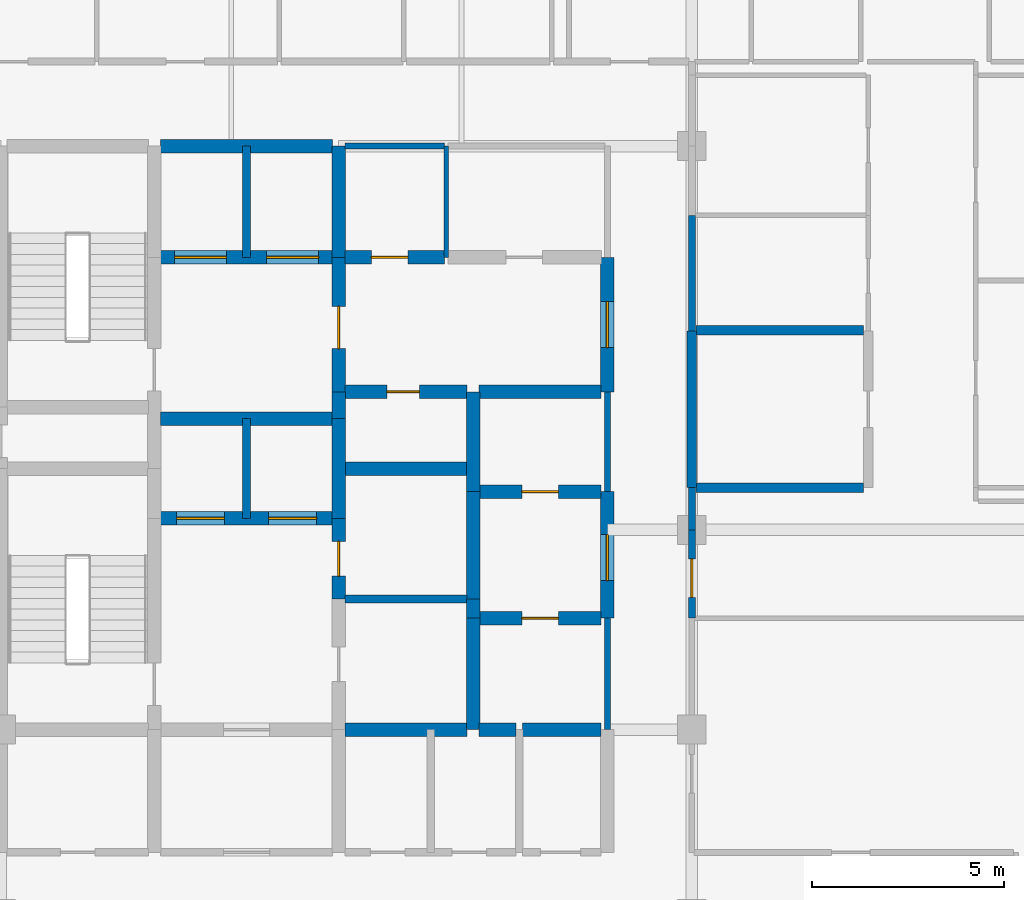
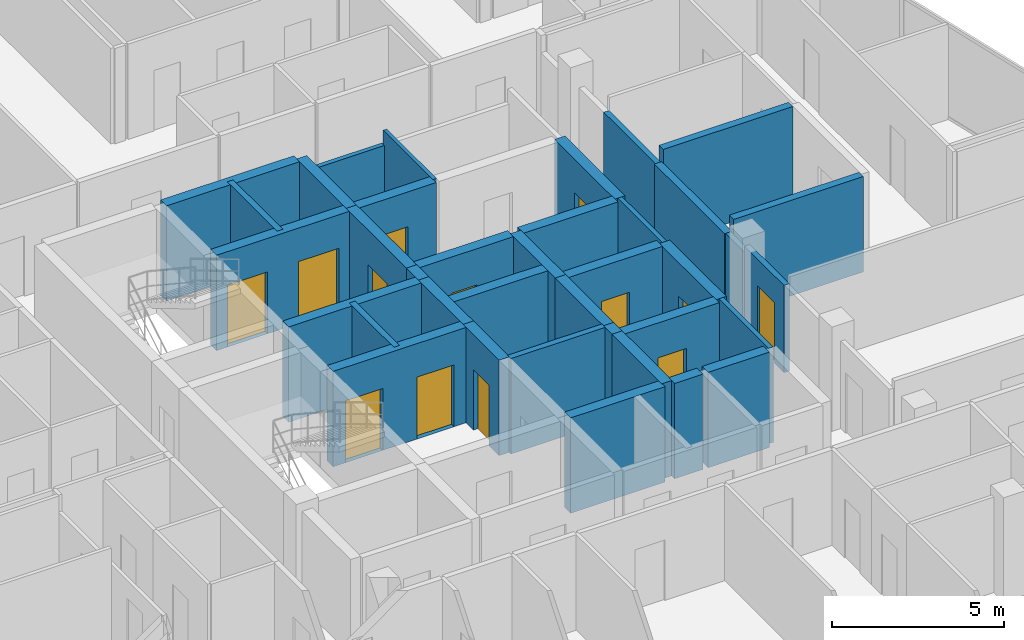
# One storey, part 24 of 27: 37 walls, 13 doors, 13 openings.
"""IFC4 building model written with IfcOpenShell, lengths in metres."""

from ifc_helpers import new_model, si_unit, direction, frame, frame_2d, origin, place, context, subcontext, project, spatial, rectangle, extrude, material, layer, layer_set, type_object, element, fill, save


model = new_model("IFC4")

# Units and contexts
model_context = context("Model", 3, precision=1e-05, world=origin(), true_north=direction((0.0, 1.0)))
body_context = subcontext(model_context, "Body", "Model", "MODEL_VIEW")
ifc_project = project(units=[si_unit("LENGTHUNIT", "METRE"), si_unit("AREAUNIT", "SQUARE_METRE"), si_unit("VOLUMEUNIT", "CUBIC_METRE"), si_unit("PLANEANGLEUNIT", "RADIAN"), si_unit("MASSUNIT", "GRAM", prefix="KILO")], contexts=[model_context])

# Site, building, storey
site_placement = place(None, origin())
site = spatial("IfcSite", under=ifc_project, at=site_placement, CompositionType="ELEMENT")
building_placement = place(site_placement, origin())
building = spatial("IfcBuilding", under=site, at=building_placement, Name="Keshet Zoharim Tower", CompositionType="ELEMENT")
storey_placement = place(building_placement, frame((0.0, 0.0, 262.10009765625)))
storey = spatial("IfcBuildingStorey", under=building, at=storey_placement, Name="L65", CompositionType="ELEMENT", Elevation=262.10009765625)

# Walls
ifc_material_1 = material(Name="Gypsum Plasterboard", Category="gypsum")
ifc_layer_1 = layer(ifc_material_1, 0.14990234375)
ifc_layer_set_1 = layer_set([ifc_layer_1], Name="Gypsum Plasterboard")
wall_type_1 = type_object("IfcWallType", Name="WL-CLIN-150", PredefinedType="STANDARD", material=ifc_layer_set_1)
wall_1_placement = place(storey_placement, frame((30.800048828125, 22.699951171875, 0.0), z_axis=(0.0, 0.0, 1.0), x_axis=(0.0, 1.0, 0.0)))
element("IfcWall", 1, at=wall_1_placement, inside=storey, type_object=wall_type_1, Name="L65 Interior Wall 066", PredefinedType="STANDARD", context=body_context, shape_type="SweptSolid", body=[
    extrude(rectangle(XDim=2.900146484375, YDim=0.14990234375, at=frame_2d((1.4501953125, 0.0))), origin(), (0.0, 0.0, 1.0), 3.389892578125),
])
wall_2_placement = place(storey_placement, frame((30.800048828125, 28.89990234375, 0.0), z_axis=(0.0, 0.0, 1.0), x_axis=(0.0, 1.0, 0.0)))
element("IfcWall", 2, at=wall_2_placement, inside=storey, type_object=wall_type_1, Name="L65 Interior Wall 068", PredefinedType="STANDARD", context=body_context, shape_type="SweptSolid", body=[
    extrude(rectangle(XDim=2.60009765625, YDim=0.14990234375, at=frame_2d((1.300048828125, 0.0))), origin(), (0.0, 0.0, 1.0), 3.389892578125),
])
wall_3_placement = place(storey_placement, frame((23.9599609375, 37.89990234375, 0.0), z_axis=(0.0, 0.0, 1.0), x_axis=(1.0, 0.0, 0.0)))
element("IfcWall", 3, at=wall_3_placement, inside=storey, type_object=wall_type_1, Name="L65 Interior Wall 160", PredefinedType="STANDARD", context=body_context, shape_type="SweptSolid", body=[
    extrude(rectangle(XDim=2.594970703125, YDim=0.14990234375, at=frame_2d((1.29736328125, 0.0))), origin(), (0.0, 0.0, 1.0), 2.889892578125),
])

# Wall, opening, door
ifc_material_2 = material(Name="Concrete C60/75", Category="concrete")
ifc_layer_2 = layer(ifc_material_2, 0.35009765625)
ifc_layer_set_2 = layer_set([ifc_layer_2], Name="Concrete C60/75")
wall_type_2 = type_object("IfcWallType", Name="WL-CORE-350", PredefinedType="SHEAR", material=ifc_layer_set_2)
wall_4_placement = place(storey_placement, frame((23.800048828125, 26.10009765625, 0.0), z_axis=(0.0, 0.0, 1.0), x_axis=(0.0, 1.0, 0.0)))
wall_4 = element("IfcWall", 4, at=wall_4_placement, inside=storey, type_object=wall_type_2, Name="L65 Core Shear Wall 043", PredefinedType="SHEAR", context=body_context, shape_type="SweptSolid", body=[
    extrude(rectangle(XDim=2.099853515625, YDim=0.35009765625, at=frame_2d((1.0498046875, 0.0))), origin(), (0.0, 0.0, 1.0), 3.389892578125),
])
opening_1_placement = place(wall_4_placement, frame((0.60009765625, 0.0, 0.0)))
opening_1 = element("IfcOpeningElement", 5, at=opening_1_placement, cuts=wall_4, Name="Opening D-F690", PredefinedType="OPENING", context=body_context, shape_type="SweptSolid", body=[
    extrude(rectangle(XDim=0.89990234375, YDim=2.14990234375, at=frame_2d((0.449951171875, 1.074951171875))), frame((0.0, 0.18505859375, 0.0), z_axis=(0.0, -1.0, 0.0), x_axis=(1.0, 0.0, 0.0)), (0.0, 0.0, 1.0), 0.3701171875),
])
ifc_material_3 = material(Name="Hardwood Timber", Category="wood")
door_type_1 = type_object("IfcDoorType", Name="DR-FD60-090", OperationType="NOTDEFINED", PredefinedType="DOOR", material=ifc_material_3)
door_1_placement = place(opening_1_placement, origin())
door_1 = element("IfcDoor", 6, at=door_1_placement, inside=storey, type_object=door_type_1, Name="L65 Core Electrical Room Door", OperationType="SINGLE_SWING_RIGHT", OverallHeight=2.14990234375, OverallWidth=0.89990234375, PredefinedType="DOOR", context=body_context, shape_type="SweptSolid", body=[
    extrude(rectangle(XDim=0.89990234375, YDim=2.14990234375, at=frame_2d((0.449951171875, 1.074951171875))), frame((0.0, 0.02490234375, 0.0), z_axis=(0.0, -1.0, 0.0), x_axis=(1.0, 0.0, 0.0)), (0.0, 0.0, 1.0), 0.050048828125),
])
fill(opening_1, door_1)

# Walls
wall_5_placement = place(storey_placement, frame((23.800048828125, 28.199951171875, 0.0), z_axis=(0.0, 0.0, 1.0), x_axis=(0.0, 1.0, 0.0)))
element("IfcWall", 7, at=wall_5_placement, inside=storey, type_object=wall_type_2, Name="L65 Core Shear Wall 044", PredefinedType="SHEAR", context=body_context, shape_type="SweptSolid", body=[
    extrude(rectangle(XDim=2.60009765625, YDim=0.35009765625, at=frame_2d((1.300048828125, 0.0))), origin(), (0.0, 0.0, 1.0), 3.389892578125),
])
wall_6_placement = place(storey_placement, frame((23.800048828125, 30.800048828125, 0.0), z_axis=(0.0, 0.0, 1.0), x_axis=(0.0, 1.0, 0.0)))
element("IfcWall", 8, at=wall_6_placement, inside=storey, type_object=wall_type_2, Name="L65 Core Shear Wall 045", PredefinedType="SHEAR", context=body_context, shape_type="SweptSolid", body=[
    extrude(rectangle(XDim=0.699951171875, YDim=0.35009765625, at=frame_2d((0.35009765625, 0.0))), origin(), (0.0, 0.0, 1.0), 3.389892578125),
])

# Wall, opening, door
wall_7_placement = place(storey_placement, frame((23.800048828125, 31.5, 0.0), z_axis=(0.0, 0.0, 1.0), x_axis=(0.0, 1.0, 0.0)))
wall_7 = element("IfcWall", 9, at=wall_7_placement, inside=storey, type_object=wall_type_2, Name="L65 Core Shear Wall 046", PredefinedType="SHEAR", context=body_context, shape_type="SweptSolid", body=[
    extrude(rectangle(XDim=3.5, YDim=0.35009765625, at=frame_2d((1.75, 0.0))), origin(), (0.0, 0.0, 1.0), 3.389892578125),
])
opening_2_placement = place(wall_7_placement, frame((1.126953125, 0.0, 0.0)))
opening_2 = element("IfcOpeningElement", 10, at=opening_2_placement, cuts=wall_7, Name="Opening D-F611", PredefinedType="OPENING", context=body_context, shape_type="SweptSolid", body=[
    extrude(rectangle(XDim=1.10009765625, YDim=2.14990234375, at=frame_2d((0.550048828125, 1.074951171875))), frame((0.0, 0.18505859375, 0.0), z_axis=(0.0, -1.0, 0.0), x_axis=(1.0, 0.0, 0.0)), (0.0, 0.0, 1.0), 0.3701171875),
])
door_type_2 = type_object("IfcDoorType", Name="DR-FD60-110", OperationType="NOTDEFINED", PredefinedType="DOOR", material=ifc_material_3)
door_2_placement = place(opening_2_placement, origin())
door_2 = element("IfcDoor", 11, at=door_2_placement, inside=storey, type_object=door_type_2, Name="L65 Firefighting Lobby Fire Door", OperationType="SINGLE_SWING_LEFT", OverallHeight=2.14990234375, OverallWidth=1.10009765625, PredefinedType="DOOR", context=body_context, shape_type="SweptSolid", body=[
    extrude(rectangle(XDim=1.10009765625, YDim=2.14990234375, at=frame_2d((0.550048828125, 1.074951171875))), frame((0.0, 0.02490234375, 0.0), z_axis=(0.0, -1.0, 0.0), x_axis=(1.0, 0.0, 0.0)), (0.0, 0.0, 1.0), 0.050048828125),
])
fill(opening_2, door_2)

# Walls
wall_8_placement = place(storey_placement, frame((23.800048828125, 35.0, 0.0), z_axis=(0.0, 0.0, 1.0), x_axis=(0.0, 1.0, 0.0)))
element("IfcWall", 12, at=wall_8_placement, inside=storey, type_object=wall_type_2, Name="L65 Core Shear Wall 047", PredefinedType="SHEAR", context=body_context, shape_type="SweptSolid", body=[
    extrude(rectangle(XDim=2.89990234375, YDim=0.35009765625, at=frame_2d((1.449951171875, 0.0))), origin(), (0.0, 0.0, 1.0), 3.389892578125),
])
wall_9_placement = place(storey_placement, frame((27.300048828125, 22.699951171875, 0.0), z_axis=(0.0, 0.0, 1.0), x_axis=(0.0, 1.0, 0.0)))
element("IfcWall", 13, at=wall_9_placement, inside=storey, type_object=wall_type_2, Name="L65 Core Shear Wall 054", PredefinedType="SHEAR", context=body_context, shape_type="SweptSolid", body=[
    extrude(rectangle(XDim=2.900146484375, YDim=0.35009765625, at=frame_2d((1.4501953125, 0.0))), origin(), (0.0, 0.0, 1.0), 3.389892578125),
])
wall_10_placement = place(storey_placement, frame((27.300048828125, 25.60009765625, 0.0), z_axis=(0.0, 0.0, 1.0), x_axis=(0.0, 1.0, 0.0)))
element("IfcWall", 14, at=wall_10_placement, inside=storey, type_object=wall_type_2, Name="L65 Core Shear Wall 055", PredefinedType="SHEAR", context=body_context, shape_type="SweptSolid", body=[
    extrude(rectangle(XDim=0.5, YDim=0.35009765625, at=frame_2d((0.25, 0.0))), origin(), (0.0, 0.0, 1.0), 3.389892578125),
])
wall_11_placement = place(storey_placement, frame((27.300048828125, 26.10009765625, 0.0), z_axis=(0.0, 0.0, 1.0), x_axis=(0.0, 1.0, 0.0)))
element("IfcWall", 15, at=wall_11_placement, inside=storey, type_object=wall_type_2, Name="L65 Core Shear Wall 056", PredefinedType="SHEAR", context=body_context, shape_type="SweptSolid", body=[
    extrude(rectangle(XDim=2.7998046875, YDim=0.35009765625, at=frame_2d((1.39990234375, 0.0))), origin(), (0.0, 0.0, 1.0), 3.389892578125),
])
wall_12_placement = place(storey_placement, frame((27.300048828125, 28.89990234375, 0.0), z_axis=(0.0, 0.0, 1.0), x_axis=(0.0, 1.0, 0.0)))
element("IfcWall", 16, at=wall_12_placement, inside=storey, type_object=wall_type_2, Name="L65 Core Shear Wall 057", PredefinedType="SHEAR", context=body_context, shape_type="SweptSolid", body=[
    extrude(rectangle(XDim=2.60009765625, YDim=0.35009765625, at=frame_2d((1.300048828125, 0.0))), origin(), (0.0, 0.0, 1.0), 3.389892578125),
])

# Wall, opening, door
wall_13_placement = place(storey_placement, frame((30.800048828125, 25.60009765625, 0.0), z_axis=(0.0, 0.0, 1.0), x_axis=(0.0, 1.0, 0.0)))
wall_13 = element("IfcWall", 17, at=wall_13_placement, inside=storey, type_object=wall_type_2, Name="L65 Core Shear Wall 067", PredefinedType="SHEAR", context=body_context, shape_type="SweptSolid", body=[
    extrude(rectangle(XDim=3.2998046875, YDim=0.35009765625, at=frame_2d((1.64990234375, 0.0))), origin(), (0.0, 0.0, 1.0), 3.389892578125),
])
opening_3_placement = place(wall_13_placement, frame((0.97802734375, 0.0, 0.0)))
opening_3 = element("IfcOpeningElement", 18, at=opening_3_placement, cuts=wall_13, Name="Opening D-F612", PredefinedType="OPENING", context=body_context, shape_type="SweptSolid", body=[
    extrude(rectangle(XDim=1.199951171875, YDim=2.199951171875, at=frame_2d((0.60009765625, 1.10009765625))), frame((0.0, 0.18505859375, 0.0), z_axis=(0.0, -1.0, 0.0), x_axis=(1.0, 0.0, 0.0)), (0.0, 0.0, 1.0), 0.3701171875),
])
door_type_3 = type_object("IfcDoorType", Name="DR-FD60-120", OperationType="NOTDEFINED", PredefinedType="DOOR", material=ifc_material_3)
door_3_placement = place(opening_3_placement, origin())
door_3 = element("IfcDoor", 19, at=door_3_placement, inside=storey, type_object=door_type_3, Name="L65 East Lift Lobby Fire Door", OperationType="SINGLE_SWING_LEFT", OverallHeight=2.199951171875, OverallWidth=1.199951171875, PredefinedType="DOOR", context=body_context, shape_type="SweptSolid", body=[
    extrude(rectangle(XDim=1.199951171875, YDim=2.199951171875, at=frame_2d((0.60009765625, 1.10009765625))), frame((0.0, 0.02490234375, 0.0), z_axis=(0.0, -1.0, 0.0), x_axis=(1.0, 0.0, 0.0)), (0.0, 0.0, 1.0), 0.050048828125),
])
fill(opening_3, door_3)

wall_14_placement = place(storey_placement, frame((30.800048828125, 31.5, 0.0), z_axis=(0.0, 0.0, 1.0), x_axis=(0.0, 1.0, 0.0)))
wall_14 = element("IfcWall", 20, at=wall_14_placement, inside=storey, type_object=wall_type_2, Name="L65 Core Shear Wall 069", PredefinedType="SHEAR", context=body_context, shape_type="SweptSolid", body=[
    extrude(rectangle(XDim=3.5, YDim=0.35009765625, at=frame_2d((1.75, 0.0))), origin(), (0.0, 0.0, 1.0), 3.389892578125),
])
opening_4_placement = place(wall_14_placement, frame((1.14990234375, 0.0, 0.0)))
opening_4 = element("IfcOpeningElement", 21, at=opening_4_placement, cuts=wall_14, Name="Opening D-F612", PredefinedType="OPENING", context=body_context, shape_type="SweptSolid", body=[
    extrude(rectangle(XDim=1.199951171875, YDim=2.199951171875, at=frame_2d((0.60009765625, 1.10009765625))), frame((0.0, 0.18505859375, 0.0), z_axis=(0.0, -1.0, 0.0), x_axis=(1.0, 0.0, 0.0)), (0.0, 0.0, 1.0), 0.3701171875),
])
door_4_placement = place(opening_4_placement, origin())
door_4 = element("IfcDoor", 22, at=door_4_placement, inside=storey, type_object=door_type_3, Name="L65 North Lift Lobby East Fire Door", OperationType="SINGLE_SWING_RIGHT", OverallHeight=2.199951171875, OverallWidth=1.199951171875, PredefinedType="DOOR", context=body_context, shape_type="SweptSolid", body=[
    extrude(rectangle(XDim=1.199951171875, YDim=2.199951171875, at=frame_2d((0.60009765625, 1.10009765625))), frame((0.0, 0.02490234375, 0.0), z_axis=(0.0, -1.0, 0.0), x_axis=(1.0, 0.0, 0.0)), (0.0, 0.0, 1.0), 0.050048828125),
])
fill(opening_4, door_4)

# Walls
wall_15_placement = place(storey_placement, frame((23.9599609375, 22.699951171875, 0.0), z_axis=(0.0, 0.0, 1.0), x_axis=(1.0, 0.0, 0.0)))
element("IfcWall", 23, at=wall_15_placement, inside=storey, type_object=wall_type_2, Name="L65 Core Shear Wall 122", PredefinedType="SHEAR", context=body_context, shape_type="SweptSolid", body=[
    extrude(rectangle(XDim=3.179931640625, YDim=0.35009765625, at=frame_2d((1.58984375, 0.0))), origin(), (0.0, 0.0, 1.0), 3.389892578125),
])
wall_16_placement = place(storey_placement, frame((27.4599609375, 22.699951171875, 0.0), z_axis=(0.0, 0.0, 1.0), x_axis=(1.0, 0.0, 0.0)))
element("IfcWall", 24, at=wall_16_placement, inside=storey, type_object=wall_type_2, Name="L65 Core Shear Wall 123", PredefinedType="SHEAR", context=body_context, shape_type="SweptSolid", body=[
    extrude(rectangle(XDim=0.955078125, YDim=0.35009765625, at=frame_2d((0.4775390625, 0.0))), origin(), (0.0, 0.0, 1.0), 3.389892578125),
])
wall_17_placement = place(storey_placement, frame((28.5849609375, 22.699951171875, 0.0), z_axis=(0.0, 0.0, 1.0), x_axis=(1.0, 0.0, 0.0)))
element("IfcWall", 25, at=wall_17_placement, inside=storey, type_object=wall_type_2, Name="L65 Core Shear Wall 124", PredefinedType="SHEAR", context=body_context, shape_type="SweptSolid", body=[
    extrude(rectangle(XDim=2.054931640625, YDim=0.35009765625, at=frame_2d((1.02734375, 0.0))), origin(), (0.0, 0.0, 1.0), 3.389892578125),
])

# Wall, opening, door
wall_18_placement = place(storey_placement, frame((27.4599609375, 25.60009765625, 0.0), z_axis=(0.0, 0.0, 1.0), x_axis=(1.0, 0.0, 0.0)))
wall_18 = element("IfcWall", 26, at=wall_18_placement, inside=storey, type_object=wall_type_2, Name="L65 Core Shear Wall 127", PredefinedType="SHEAR", context=body_context, shape_type="SweptSolid", body=[
    extrude(rectangle(XDim=3.179931640625, YDim=0.35009765625, at=frame_2d((1.58984375, 0.0))), origin(), (0.0, 0.0, 1.0), 3.389892578125),
])
opening_5_placement = place(wall_18_placement, frame((1.114990234375, 0.0, 0.0)))
opening_5 = element("IfcOpeningElement", 27, at=opening_5_placement, cuts=wall_18, Name="Opening D-F695", PredefinedType="OPENING", context=body_context, shape_type="SweptSolid", body=[
    extrude(rectangle(XDim=0.949951171875, YDim=2.14990234375, at=frame_2d((0.47509765625, 1.074951171875))), frame((0.0, 0.18505859375, 0.0), z_axis=(0.0, -1.0, 0.0), x_axis=(1.0, 0.0, 0.0)), (0.0, 0.0, 1.0), 0.3701171875),
])
door_type_4 = type_object("IfcDoorType", Name="DR-FD60-095", OperationType="NOTDEFINED", PredefinedType="DOOR", material=ifc_material_3)
door_5_placement = place(opening_5_placement, origin())
door_5 = element("IfcDoor", 28, at=door_5_placement, inside=storey, type_object=door_type_4, Name="L65 Study Alcove Door", OperationType="SINGLE_SWING_RIGHT", OverallHeight=2.14990234375, OverallWidth=0.949951171875, PredefinedType="DOOR", context=body_context, shape_type="SweptSolid", body=[
    extrude(rectangle(XDim=0.949951171875, YDim=2.14990234375, at=frame_2d((0.47509765625, 1.074951171875))), frame((0.0, 0.02490234375, 0.0), z_axis=(0.0, -1.0, 0.0), x_axis=(1.0, 0.0, 0.0)), (0.0, 0.0, 1.0), 0.050048828125),
])
fill(opening_5, door_5)

# Wall, openings, doors
wall_19_placement = place(storey_placement, frame((19.159912109375, 28.199951171875, 0.0), z_axis=(0.0, 0.0, 1.0), x_axis=(1.0, 0.0, 0.0)))
wall_19 = element("IfcWall", 29, at=wall_19_placement, inside=storey, type_object=wall_type_2, Name="L65 Core Shear Wall 134", PredefinedType="SHEAR", context=body_context, shape_type="SweptSolid", body=[
    extrude(rectangle(XDim=4.47998046875, YDim=0.35009765625, at=frame_2d((2.239990234375, 0.0))), origin(), (0.0, 0.0, 1.0), 3.389892578125),
])
opening_6_placement = place(wall_19_placement, frame((0.4150390625, 0.0, 0.0)))
opening_6 = element("IfcOpeningElement", 30, at=opening_6_placement, cuts=wall_19, Name="Opening LD-01", PredefinedType="OPENING", context=body_context, shape_type="SweptSolid", body=[
    extrude(rectangle(XDim=1.25, YDim=2.199951171875, at=frame_2d((0.625, 1.10009765625))), frame((0.0, 0.18505859375, 0.0), z_axis=(0.0, -1.0, 0.0), x_axis=(1.0, 0.0, 0.0)), (0.0, 0.0, 1.0), 0.3701171875),
])
opening_7_placement = place(wall_19_placement, frame((2.81494140625, 0.0, 0.0)))
opening_7 = element("IfcOpeningElement", 31, at=opening_7_placement, cuts=wall_19, Name="Opening LD-01", PredefinedType="OPENING", context=body_context, shape_type="SweptSolid", body=[
    extrude(rectangle(XDim=1.25, YDim=2.199951171875, at=frame_2d((0.625, 1.10009765625))), frame((0.0, 0.18505859375, 0.0), z_axis=(0.0, -1.0, 0.0), x_axis=(1.0, 0.0, 0.0)), (0.0, 0.0, 1.0), 0.3701171875),
])
ifc_material_4 = material(Name="Steel S355", Category="steel")
door_type_5 = type_object("IfcDoorType", Name="DR-LD01-125", OperationType="DOUBLE_DOOR_SLIDING", PredefinedType="DOOR", material=ifc_material_4)
door_6_placement = place(opening_6_placement, origin())
door_6 = element("IfcDoor", 32, at=door_6_placement, inside=storey, type_object=door_type_5, Name="L65 Passenger Lift Landing Door LF-09", OperationType="DOUBLE_DOOR_SLIDING", OverallHeight=2.199951171875, OverallWidth=1.25, PredefinedType="DOOR", context=body_context, shape_type="SweptSolid", body=[
    extrude(rectangle(XDim=1.25, YDim=2.199951171875, at=frame_2d((0.625, 1.10009765625))), frame((0.0, 0.02490234375, 0.0), z_axis=(0.0, -1.0, 0.0), x_axis=(1.0, 0.0, 0.0)), (0.0, 0.0, 1.0), 0.050048828125),
])
fill(opening_6, door_6)
door_7_placement = place(opening_7_placement, origin())
door_7 = element("IfcDoor", 33, at=door_7_placement, inside=storey, type_object=door_type_5, Name="L65 Passenger Lift Landing Door LF-10", OperationType="DOUBLE_DOOR_SLIDING", OverallHeight=2.199951171875, OverallWidth=1.25, PredefinedType="DOOR", context=body_context, shape_type="SweptSolid", body=[
    extrude(rectangle(XDim=1.25, YDim=2.199951171875, at=frame_2d((0.625, 1.10009765625))), frame((0.0, 0.02490234375, 0.0), z_axis=(0.0, -1.0, 0.0), x_axis=(1.0, 0.0, 0.0)), (0.0, 0.0, 1.0), 0.050048828125),
])
fill(opening_7, door_7)

# Wall, opening, door
wall_20_placement = place(storey_placement, frame((27.4599609375, 28.89990234375, 0.0), z_axis=(0.0, 0.0, 1.0), x_axis=(1.0, 0.0, 0.0)))
wall_20 = element("IfcWall", 34, at=wall_20_placement, inside=storey, type_object=wall_type_2, Name="L65 Core Shear Wall 136", PredefinedType="SHEAR", context=body_context, shape_type="SweptSolid", body=[
    extrude(rectangle(XDim=3.179931640625, YDim=0.35009765625, at=frame_2d((1.58984375, 0.0))), origin(), (0.0, 0.0, 1.0), 3.389892578125),
])
opening_8_placement = place(wall_20_placement, frame((1.114990234375, 0.0, 0.0)))
opening_8 = element("IfcOpeningElement", 35, at=opening_8_placement, cuts=wall_20, Name="Opening D-F695", PredefinedType="OPENING", context=body_context, shape_type="SweptSolid", body=[
    extrude(rectangle(XDim=0.949951171875, YDim=2.14990234375, at=frame_2d((0.47509765625, 1.074951171875))), frame((0.0, 0.18505859375, 0.0), z_axis=(0.0, -1.0, 0.0), x_axis=(1.0, 0.0, 0.0)), (0.0, 0.0, 1.0), 0.3701171875),
])
door_8_placement = place(opening_8_placement, frame((0.949951171875, 0.0, 0.0), z_axis=(0.0, 0.0, 1.0), x_axis=(-1.0, 0.0, 0.0)))
door_8 = element("IfcDoor", 36, at=door_8_placement, inside=storey, type_object=door_type_4, Name="L65 Parcel Store Door", OperationType="SINGLE_SWING_LEFT", OverallHeight=2.14990234375, OverallWidth=0.949951171875, PredefinedType="DOOR", context=body_context, shape_type="SweptSolid", body=[
    extrude(rectangle(XDim=0.949951171875, YDim=2.14990234375, at=frame_2d((0.47509765625, 1.074951171875))), frame((0.0, 0.02490234375, 0.0), z_axis=(0.0, -1.0, 0.0), x_axis=(1.0, 0.0, 0.0)), (0.0, 0.0, 1.0), 0.050048828125),
])
fill(opening_8, door_8)

# Walls
wall_21_placement = place(storey_placement, frame((23.9599609375, 29.5, 0.0), z_axis=(0.0, 0.0, 1.0), x_axis=(1.0, 0.0, 0.0)))
element("IfcWall", 37, at=wall_21_placement, inside=storey, type_object=wall_type_2, Name="L65 Core Shear Wall 140", PredefinedType="SHEAR", context=body_context, shape_type="SweptSolid", body=[
    extrude(rectangle(XDim=3.179931640625, YDim=0.35009765625, at=frame_2d((1.58984375, 0.0))), origin(), (0.0, 0.0, 1.0), 3.389892578125),
])
wall_22_placement = place(storey_placement, frame((19.159912109375, 30.800048828125, 0.0), z_axis=(0.0, 0.0, 1.0), x_axis=(1.0, 0.0, 0.0)))
element("IfcWall", 38, at=wall_22_placement, inside=storey, type_object=wall_type_2, Name="L65 Core Shear Wall 143", PredefinedType="SHEAR", context=body_context, shape_type="SweptSolid", body=[
    extrude(rectangle(XDim=4.47998046875, YDim=0.35009765625, at=frame_2d((2.239990234375, 0.0))), origin(), (0.0, 0.0, 1.0), 3.389892578125),
])

# Wall, opening, door
wall_23_placement = place(storey_placement, frame((23.9599609375, 31.5, 0.0), z_axis=(0.0, 0.0, 1.0), x_axis=(1.0, 0.0, 0.0)))
wall_23 = element("IfcWall", 39, at=wall_23_placement, inside=storey, type_object=wall_type_2, Name="L65 Core Shear Wall 145", PredefinedType="SHEAR", context=body_context, shape_type="SweptSolid", body=[
    extrude(rectangle(XDim=3.179931640625, YDim=0.35009765625, at=frame_2d((1.58984375, 0.0))), origin(), (0.0, 0.0, 1.0), 3.389892578125),
])
opening_9_placement = place(wall_23_placement, frame((1.093994140625, 0.0, 0.0)))
opening_9 = element("IfcOpeningElement", 40, at=opening_9_placement, cuts=wall_23, Name="Opening D-RS85", PredefinedType="OPENING", context=body_context, shape_type="SweptSolid", body=[
    extrude(rectangle(XDim=0.85009765625, YDim=2.10009765625, at=frame_2d((0.425048828125, 1.050048828125))), frame((0.0, 0.18505859375, 0.0), z_axis=(0.0, -1.0, 0.0), x_axis=(1.0, 0.0, 0.0)), (0.0, 0.0, 1.0), 0.3701171875),
])
door_type_6 = type_object("IfcDoorType", Name="DR-RIS-085", OperationType="NOTDEFINED", PredefinedType="DOOR", material=ifc_material_3)
door_9_placement = place(opening_9_placement, origin())
door_9 = element("IfcDoor", 41, at=door_9_placement, inside=storey, type_object=door_type_6, Name="L65 Telecom Riser Access Cupboard Door", OperationType="SINGLE_SWING_RIGHT", OverallHeight=2.10009765625, OverallWidth=0.85009765625, PredefinedType="DOOR", context=body_context, shape_type="SweptSolid", body=[
    extrude(rectangle(XDim=0.85009765625, YDim=2.10009765625, at=frame_2d((0.425048828125, 1.050048828125))), frame((0.0, 0.02490234375, 0.0), z_axis=(0.0, -1.0, 0.0), x_axis=(1.0, 0.0, 0.0)), (0.0, 0.0, 1.0), 0.050048828125),
])
fill(opening_9, door_9)

# Wall
wall_24_placement = place(storey_placement, frame((27.4599609375, 31.5, 0.0), z_axis=(0.0, 0.0, 1.0), x_axis=(1.0, 0.0, 0.0)))
element("IfcWall", 42, at=wall_24_placement, inside=storey, type_object=wall_type_2, Name="L65 Core Shear Wall 146", PredefinedType="SHEAR", context=body_context, shape_type="SweptSolid", body=[
    extrude(rectangle(XDim=3.179931640625, YDim=0.35009765625, at=frame_2d((1.58984375, 0.0))), origin(), (0.0, 0.0, 1.0), 3.389892578125),
])

# Wall, openings, doors
wall_25_placement = place(storey_placement, frame((19.159912109375, 35.0, 0.0), z_axis=(0.0, 0.0, 1.0), x_axis=(1.0, 0.0, 0.0)))
wall_25 = element("IfcWall", 43, at=wall_25_placement, inside=storey, type_object=wall_type_2, Name="L65 Core Shear Wall 152", PredefinedType="SHEAR", context=body_context, shape_type="SweptSolid", body=[
    extrude(rectangle(XDim=4.47998046875, YDim=0.35009765625, at=frame_2d((2.239990234375, 0.0))), origin(), (0.0, 0.0, 1.0), 3.389892578125),
])
opening_10_placement = place(wall_25_placement, frame((0.364990234375, 0.0, 0.0)))
opening_10 = element("IfcOpeningElement", 44, at=opening_10_placement, cuts=wall_25, Name="Opening LD-02", PredefinedType="OPENING", context=body_context, shape_type="SweptSolid", body=[
    extrude(rectangle(XDim=1.35009765625, YDim=2.199951171875, at=frame_2d((0.675048828125, 1.10009765625))), frame((0.0, 0.18505859375, 0.0), z_axis=(0.0, -1.0, 0.0), x_axis=(1.0, 0.0, 0.0)), (0.0, 0.0, 1.0), 0.3701171875),
])
opening_11_placement = place(wall_25_placement, frame((2.764892578125, 0.0, 0.0)))
opening_11 = element("IfcOpeningElement", 45, at=opening_11_placement, cuts=wall_25, Name="Opening LD-02", PredefinedType="OPENING", context=body_context, shape_type="SweptSolid", body=[
    extrude(rectangle(XDim=1.35009765625, YDim=2.199951171875, at=frame_2d((0.675048828125, 1.10009765625))), frame((0.0, 0.18505859375, 0.0), z_axis=(0.0, -1.0, 0.0), x_axis=(1.0, 0.0, 0.0)), (0.0, 0.0, 1.0), 0.3701171875),
])
door_type_7 = type_object("IfcDoorType", Name="DR-LD02-135", OperationType="DOUBLE_DOOR_SLIDING", PredefinedType="DOOR", material=ifc_material_4)
door_10_placement = place(opening_10_placement, origin())
door_10 = element("IfcDoor", 46, at=door_10_placement, inside=storey, type_object=door_type_7, Name="L65 Firefighting Lift Landing Door FF-01", OperationType="DOUBLE_DOOR_SLIDING", OverallHeight=2.199951171875, OverallWidth=1.35009765625, PredefinedType="DOOR", context=body_context, shape_type="SweptSolid", body=[
    extrude(rectangle(XDim=1.35009765625, YDim=2.199951171875, at=frame_2d((0.675048828125, 1.10009765625))), frame((0.0, 0.02490234375, 0.0), z_axis=(0.0, -1.0, 0.0), x_axis=(1.0, 0.0, 0.0)), (0.0, 0.0, 1.0), 0.050048828125),
])
fill(opening_10, door_10)
door_11_placement = place(opening_11_placement, origin())
door_11 = element("IfcDoor", 47, at=door_11_placement, inside=storey, type_object=door_type_7, Name="L65 Firefighting Lift Landing Door FF-02", OperationType="DOUBLE_DOOR_SLIDING", OverallHeight=2.199951171875, OverallWidth=1.35009765625, PredefinedType="DOOR", context=body_context, shape_type="SweptSolid", body=[
    extrude(rectangle(XDim=1.35009765625, YDim=2.199951171875, at=frame_2d((0.675048828125, 1.10009765625))), frame((0.0, 0.02490234375, 0.0), z_axis=(0.0, -1.0, 0.0), x_axis=(1.0, 0.0, 0.0)), (0.0, 0.0, 1.0), 0.050048828125),
])
fill(opening_11, door_11)

# Wall, opening, door
wall_26_placement = place(storey_placement, frame((23.9599609375, 35.0, 0.0), z_axis=(0.0, 0.0, 1.0), x_axis=(1.0, 0.0, 0.0)))
wall_26 = element("IfcWall", 48, at=wall_26_placement, inside=storey, type_object=wall_type_2, Name="L65 Core Shear Wall 153", PredefinedType="SHEAR", context=body_context, shape_type="SweptSolid", body=[
    extrude(rectangle(XDim=2.594970703125, YDim=0.35009765625, at=frame_2d((1.29736328125, 0.0))), origin(), (0.0, 0.0, 1.0), 3.389892578125),
])
opening_12_placement = place(wall_26_placement, frame((0.69091796875, 0.0, 0.0)))
opening_12 = element("IfcOpeningElement", 49, at=opening_12_placement, cuts=wall_26, Name="Opening D-F695", PredefinedType="OPENING", context=body_context, shape_type="SweptSolid", body=[
    extrude(rectangle(XDim=0.949951171875, YDim=2.14990234375, at=frame_2d((0.47509765625, 1.074951171875))), frame((0.0, 0.18505859375, 0.0), z_axis=(0.0, -1.0, 0.0), x_axis=(1.0, 0.0, 0.0)), (0.0, 0.0, 1.0), 0.3701171875),
])
door_12_placement = place(opening_12_placement, frame((0.949951171875, 0.0, 0.0), z_axis=(0.0, 0.0, 1.0), x_axis=(-1.0, 0.0, 0.0)))
door_12 = element("IfcDoor", 50, at=door_12_placement, inside=storey, type_object=door_type_4, Name="L65 Laundry Room Door", OperationType="SINGLE_SWING_LEFT", OverallHeight=2.14990234375, OverallWidth=0.949951171875, PredefinedType="DOOR", context=body_context, shape_type="SweptSolid", body=[
    extrude(rectangle(XDim=0.949951171875, YDim=2.14990234375, at=frame_2d((0.47509765625, 1.074951171875))), frame((0.0, 0.02490234375, 0.0), z_axis=(0.0, -1.0, 0.0), x_axis=(1.0, 0.0, 0.0)), (0.0, 0.0, 1.0), 0.050048828125),
])
fill(opening_12, door_12)

# Wall
wall_27_placement = place(storey_placement, frame((19.159912109375, 37.89990234375, 0.0), z_axis=(0.0, 0.0, 1.0), x_axis=(1.0, 0.0, 0.0)))
element("IfcWall", 51, at=wall_27_placement, inside=storey, type_object=wall_type_2, Name="L65 Core Shear Wall 159", PredefinedType="SHEAR", context=body_context, shape_type="SweptSolid", body=[
    extrude(rectangle(XDim=4.47998046875, YDim=0.35009765625, at=frame_2d((2.239990234375, 0.0))), origin(), (0.0, 0.0, 1.0), 3.389892578125),
])

# Wall, opening, door
ifc_layer_3 = layer(ifc_material_1, 0.179931640625)
ifc_layer_set_3 = layer_set([ifc_layer_3], Name="Gypsum Plasterboard")
wall_type_3 = type_object("IfcWallType", Name="WL-CORR-180", PredefinedType="STANDARD", material=ifc_layer_set_3)
wall_28_placement = place(storey_placement, frame((33.0, 25.60009765625, 0.0), z_axis=(0.0, 0.0, 1.0), x_axis=(0.0, 1.0, 0.0)))
wall_28 = element("IfcWall", 52, at=wall_28_placement, inside=storey, type_object=wall_type_3, Name="L65 Interior Wall 072", PredefinedType="STANDARD", context=body_context, shape_type="SweptSolid", body=[
    extrude(rectangle(XDim=2.2998046875, YDim=0.179931640625, at=frame_2d((1.14990234375, 0.0))), origin(), (0.0, 0.0, 1.0), 3.099853515625),
])
opening_13_placement = place(wall_28_placement, frame((0.5458984375, 0.0, 0.0)))
opening_13 = element("IfcOpeningElement", 53, at=opening_13_placement, cuts=wall_28, Name="Opening D-F310", PredefinedType="OPENING", context=body_context, shape_type="SweptSolid", body=[
    extrude(rectangle(XDim=1.0, YDim=2.14990234375, at=frame_2d((0.5, 1.074951171875))), frame((0.0, 0.10009765625, 0.0), z_axis=(0.0, -1.0, 0.0), x_axis=(1.0, 0.0, 0.0)), (0.0, 0.0, 1.0), 0.199951171875),
])
door_type_8 = type_object("IfcDoorType", Name="DR-FD30-100", OperationType="NOTDEFINED", PredefinedType="DOOR", material=ifc_material_3)
door_13_placement = place(opening_13_placement, origin())
door_13 = element("IfcDoor", 54, at=door_13_placement, inside=storey, type_object=door_type_8, Name="Apartment 6510 Entrance Door", OperationType="SINGLE_SWING_RIGHT", OverallHeight=2.14990234375, OverallWidth=1.0, PredefinedType="DOOR", context=body_context, shape_type="SweptSolid", body=[
    extrude(rectangle(XDim=1.0, YDim=2.14990234375, at=frame_2d((0.5, 1.074951171875))), frame((0.0, 0.02490234375, 0.0), z_axis=(0.0, -1.0, 0.0), x_axis=(1.0, 0.0, 0.0)), (0.0, 0.0, 1.0), 0.050048828125),
])
fill(opening_13, door_13)

# Walls
wall_29_placement = place(storey_placement, frame((33.0, 33.0849609375, 0.0), z_axis=(0.0, 0.0, 1.0), x_axis=(0.0, 1.0, 0.0)))
element("IfcWall", 55, at=wall_29_placement, inside=storey, type_object=wall_type_3, Name="L65 Interior Wall 074", PredefinedType="STANDARD", context=body_context, shape_type="SweptSolid", body=[
    extrude(rectangle(XDim=3.010009765625, YDim=0.179931640625, at=frame_2d((1.5048828125, 0.0))), origin(), (0.0, 0.0, 1.0), 2.889892578125),
])
wall_30_placement = place(storey_placement, frame((33.0, 27.89990234375, 0.0), z_axis=(0.0, 0.0, 1.0), x_axis=(0.0, 1.0, 0.0)))
element("IfcWall", 56, at=wall_30_placement, inside=storey, type_object=wall_type_3, Name="L65 Interior Wall 072 Part 2", PredefinedType="STANDARD", context=body_context, shape_type="SweptSolid", body=[
    extrude(rectangle(XDim=1.10009765625, YDim=0.179931640625, at=frame_2d((0.550048828125, 0.0))), origin(), (0.0, 0.0, 1.0), 2.889892578125),
])
ifc_material_5 = material(Name="Concrete C50/60", Category="concrete")
ifc_layer_4 = layer(ifc_material_5, 0.199951171875)
ifc_layer_set_4 = layer_set([ifc_layer_4], Name="Concrete C50/60")
wall_type_4 = type_object("IfcWallType", Name="WL-FIRE-200", PredefinedType="STANDARD", material=ifc_layer_set_4)
wall_31_placement = place(storey_placement, frame((21.39990234375, 28.199951171875, 0.0), z_axis=(0.0, 0.0, 1.0), x_axis=(0.0, 1.0, 0.0)))
element("IfcWall", 57, at=wall_31_placement, inside=storey, type_object=wall_type_4, Name="L65 Interior Wall 036", PredefinedType="STANDARD", context=body_context, shape_type="SweptSolid", body=[
    extrude(rectangle(XDim=2.60009765625, YDim=0.199951171875, at=frame_2d((1.300048828125, 0.0))), origin(), (0.0, 0.0, 1.0), 3.389892578125),
])
wall_32_placement = place(storey_placement, frame((21.39990234375, 35.0, 0.0), z_axis=(0.0, 0.0, 1.0), x_axis=(0.0, 1.0, 0.0)))
element("IfcWall", 58, at=wall_32_placement, inside=storey, type_object=wall_type_4, Name="L65 Interior Wall 037", PredefinedType="STANDARD", context=body_context, shape_type="SweptSolid", body=[
    extrude(rectangle(XDim=2.89990234375, YDim=0.199951171875, at=frame_2d((1.449951171875, 0.0))), origin(), (0.0, 0.0, 1.0), 3.389892578125),
])
wall_33_placement = place(storey_placement, frame((23.9599609375, 26.10009765625, 0.0), z_axis=(0.0, 0.0, 1.0), x_axis=(1.0, 0.0, 0.0)))
element("IfcWall", 59, at=wall_33_placement, inside=storey, type_object=wall_type_4, Name="L65 Interior Wall 129", PredefinedType="STANDARD", context=body_context, shape_type="SweptSolid", body=[
    extrude(rectangle(XDim=3.179931640625, YDim=0.199951171875, at=frame_2d((1.58984375, 0.0))), origin(), (0.0, 0.0, 1.0), 3.389892578125),
])
ifc_layer_5 = layer(ifc_material_5, 0.25)
ifc_layer_set_5 = layer_set([ifc_layer_5], Name="Concrete C50/60")
wall_type_5 = type_object("IfcWallType", Name="WL-MAMAD-250", PredefinedType="STANDARD", material=ifc_layer_set_5)
wall_34_placement = place(storey_placement, frame((33.0, 29.0, 0.0), z_axis=(0.0, 0.0, 1.0), x_axis=(0.0, 1.0, 0.0)))
element("IfcWall", 60, at=wall_34_placement, inside=storey, type_object=wall_type_5, Name="L65 Interior Wall 073", PredefinedType="STANDARD", context=body_context, shape_type="SweptSolid", body=[
    extrude(rectangle(XDim=4.0849609375, YDim=0.25, at=frame_2d((2.04248046875, 0.0))), origin(), (0.0, 0.0, 1.0), 2.889892578125),
])
for number, where, z_axis, x_axis, name in (
    (61, (33.110107421875, 29.0, 0.0), (0.0, 0.0, 1.0), (1.0, 0.0, 0.0), "L65 Interior Wall 137"),
    (62, (33.110107421875, 33.10009765625, 0.0), (0.0, 0.0, 1.0), (1.0, 0.0, 0.0), "L65 Interior Wall 147"),
):
    element("IfcWall", number, at=place(storey_placement, frame(where, z_axis=z_axis, x_axis=x_axis)), inside=storey, type_object=wall_type_5, Name=name, PredefinedType="STANDARD", context=body_context, shape_type="SweptSolid", body=[
        extrude(rectangle(XDim=4.35986328125, YDim=0.25, at=frame_2d((2.179931640625, 0.0))), origin(), (0.0, 0.0, 1.0), 3.389892578125),
    ])
ifc_layer_6 = layer(ifc_material_1, 0.1201171875)
ifc_layer_set_6 = layer_set([ifc_layer_6], Name="Gypsum Plasterboard")
wall_type_6 = type_object("IfcWallType", Name="WL-PART-120", PredefinedType="PARTITIONING", material=ifc_layer_set_6)
wall_35_placement = place(storey_placement, frame((26.60009765625, 35.0, 0.0), z_axis=(0.0, 0.0, 1.0), x_axis=(0.0, 1.0, 0.0)))
element("IfcWall", 63, at=wall_35_placement, inside=storey, type_object=wall_type_6, Name="L65 Interior Wall 052", PredefinedType="PARTITIONING", context=body_context, shape_type="SweptSolid", body=[
    extrude(rectangle(XDim=2.89990234375, YDim=0.1201171875, at=frame_2d((1.449951171875, 0.0))), origin(), (0.0, 0.0, 1.0), 3.389892578125),
])

save(model, "model.ifc")
